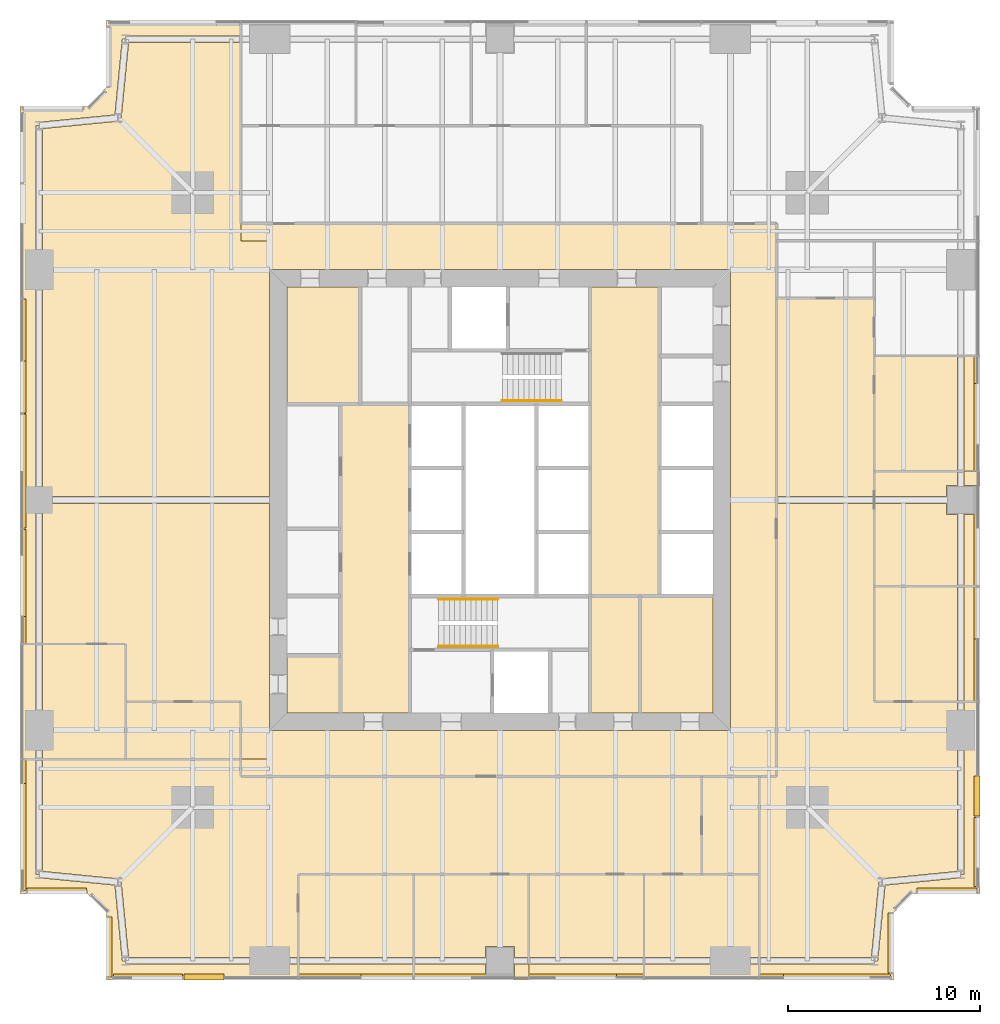
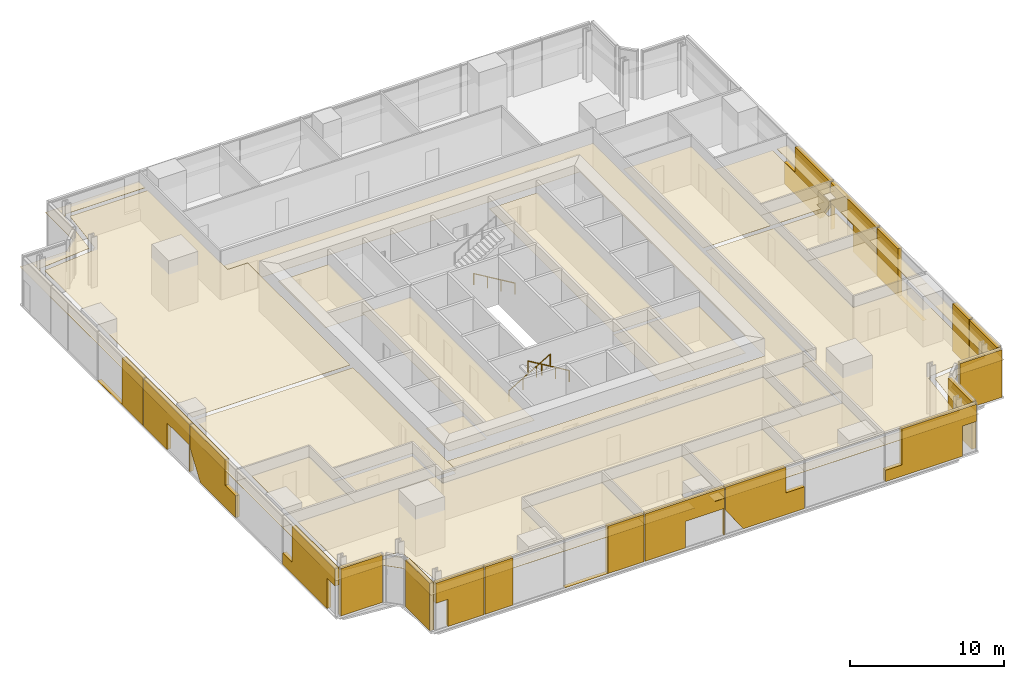
# One storey, part 12 of 13: 55 coverings, 3 railings.
"""IFC4 building model written with IfcOpenShell, lengths in metres."""

from ifc_helpers import new_model, si_unit, direction, frame, origin, origin_2d, place, context, subcontext, project, spatial, polyline, circle, outline, extrude, material, layer, layer_set, type_object, element, save


model = new_model("IFC4")

# Units and contexts
model_context = context("Model", 3, precision=1e-05, world=origin(), true_north=direction((0.0, 1.0)))
body_context = subcontext(model_context, "Body", "Model", "MODEL_VIEW")
ifc_project = project(units=[si_unit("LENGTHUNIT", "METRE"), si_unit("AREAUNIT", "SQUARE_METRE"), si_unit("VOLUMEUNIT", "CUBIC_METRE"), si_unit("PLANEANGLEUNIT", "RADIAN"), si_unit("MASSUNIT", "GRAM", prefix="KILO")], contexts=[model_context])

# Site, building, storey
site_placement = place(None, origin())
site = spatial("IfcSite", under=ifc_project, at=site_placement, CompositionType="ELEMENT")
building_placement = place(site_placement, origin())
building = spatial("IfcBuilding", under=site, at=building_placement, Name="Fenwick Lantern Interchange", CompositionType="ELEMENT")
storey_placement = place(building_placement, frame((0.0, 0.0, 106.39990234375)))
storey = spatial("IfcBuildingStorey", under=building, at=storey_placement, Name="L24", CompositionType="ELEMENT", Elevation=106.39990234375)

# Coverings
ifc_material_1 = material(Name="Mineral fibre acoustic tile on suspended grid")
ifc_layer_1 = layer(ifc_material_1, 0.02001953125)
ifc_layer_set_1 = layer_set([ifc_layer_1], Name="ACOUSTIC TILE CEILING 20")
covering_type_1 = type_object("IfcCoveringType", Name="ACOUSTIC TILE CEILING 20", PredefinedType="CEILING", material=ifc_layer_set_1)
covering_1_placement = place(storey_placement, frame((0.0, 0.0, 2.900146484375)))
element("IfcCovering", 1, at=covering_1_placement, inside=storey, type_object=covering_type_1, Name="Office suite ceiling", PredefinedType="CEILING", context=body_context, shape_type="SweptSolid", body=[
    extrude(outline(polyline([(11.5, 11.5), (1.17236328125, 11.5), (1.17236328125, 5.656494140625), (5.11669921875, 5.271484375), (5.10009765625, 5.10009765625), (5.271484375, 5.11669921875), (5.656494140625, 1.17236328125), (13.0, 1.17236328125), (14.5, 1.17236328125), (14.5, 5.5), (35.5, 5.5), (35.5, 10.60009765625), (11.5, 10.60009765625), (11.5, 11.5)])), origin(), (0.0, 0.0, 1.0), 0.02001953125),
])
covering_2_placement = place(storey_placement, frame((0.0, 0.0, 2.900146484375)))
element("IfcCovering", 2, at=covering_2_placement, inside=storey, type_object=covering_type_1, Name="Office suite ceiling", PredefinedType="CEILING", context=body_context, shape_type="SweptSolid", body=[
    extrude(outline(polyline([(0.82763671875, 11.5), (0.0, 11.5), (0.0, 4.5), (3.5, 4.5), (4.5, 3.5), (4.5, 0.0), (14.5, 0.0), (14.5, 0.82763671875), (13.0, 0.82763671875), (5.5, 0.82763671875), (5.5, 1.0), (5.328369140625, 0.983154296875), (4.942138671875, 4.942138671875), (0.983154296875, 5.328369140625), (1.0, 5.5), (0.82763671875, 5.5), (0.82763671875, 11.5)])), origin(), (0.0, 0.0, 1.0), 0.02001953125),
])
covering_3_placement = place(storey_placement, frame((0.0, 0.0, 2.900146484375)))
element("IfcCovering", 3, at=covering_3_placement, inside=storey, type_object=covering_type_1, Name="Office ceiling", PredefinedType="CEILING", context=body_context, shape_type="SweptSolid", body=[
    extrude(outline(polyline([(14.5, 5.5), (14.5, 1.17236328125), (20.5, 1.17236328125), (20.5, 5.5), (14.5, 5.5)])), origin(), (0.0, 0.0, 1.0), 0.02001953125),
])
covering_4_placement = place(storey_placement, frame((0.0, 0.0, 2.900146484375)))
element("IfcCovering", 4, at=covering_4_placement, inside=storey, type_object=covering_type_1, Name="Office ceiling", PredefinedType="CEILING", context=body_context, shape_type="SweptSolid", body=[
    extrude(outline(polyline([(20.5, 0.0), (20.5, 0.82763671875), (14.5, 0.82763671875), (14.5, 0.0), (20.5, 0.0)])), origin(), (0.0, 0.0, 1.0), 0.02001953125),
])
covering_5_placement = place(storey_placement, frame((0.0, 0.0, 2.900146484375)))
element("IfcCovering", 5, at=covering_5_placement, inside=storey, type_object=covering_type_1, Name="Office ceiling", PredefinedType="CEILING", context=body_context, shape_type="SweptSolid", body=[
    extrude(outline(polyline([(20.5, 5.5), (20.5, 1.17236328125), (24.25, 1.17236328125), (24.25, 1.75), (25.75, 1.75), (25.75, 1.17236328125), (26.5, 1.17236328125), (26.5, 5.5), (20.5, 5.5)])), origin(), (0.0, 0.0, 1.0), 0.02001953125),
])
covering_6_placement = place(storey_placement, frame((0.0, 0.0, 2.900146484375)))
element("IfcCovering", 6, at=covering_6_placement, inside=storey, type_object=covering_type_1, Name="Office ceiling", PredefinedType="CEILING", context=body_context, shape_type="SweptSolid", body=[
    extrude(outline(polyline([(20.5, 0.82763671875), (20.5, 0.0), (24.25, 0.0), (24.25, 0.82763671875), (20.5, 0.82763671875)])), origin(), (0.0, 0.0, 1.0), 0.02001953125),
])
covering_7_placement = place(storey_placement, frame((0.0, 0.0, 2.900146484375)))
element("IfcCovering", 7, at=covering_7_placement, inside=storey, type_object=covering_type_1, Name="Office ceiling", PredefinedType="CEILING", context=body_context, shape_type="SweptSolid", body=[
    extrude(outline(polyline([(26.5, 0.0), (26.5, 0.82763671875), (25.75, 0.82763671875), (25.75, 0.0), (26.5, 0.0)])), origin(), (0.0, 0.0, 1.0), 0.02001953125),
])
covering_8_placement = place(storey_placement, frame((0.0, 0.0, 2.900146484375)))
element("IfcCovering", 8, at=covering_8_placement, inside=storey, type_object=covering_type_1, Name="Office ceiling", PredefinedType="CEILING", context=body_context, shape_type="SweptSolid", body=[
    extrude(outline(polyline([(26.5, 5.5), (26.5, 1.17236328125), (32.5, 1.17236328125), (32.5, 5.5), (26.5, 5.5)])), origin(), (0.0, 0.0, 1.0), 0.02001953125),
])
covering_9_placement = place(storey_placement, frame((0.0, 0.0, 2.900146484375)))
element("IfcCovering", 9, at=covering_9_placement, inside=storey, type_object=covering_type_1, Name="Office ceiling", PredefinedType="CEILING", context=body_context, shape_type="SweptSolid", body=[
    extrude(outline(polyline([(32.5, 0.0), (32.5, 0.82763671875), (26.5, 0.82763671875), (26.5, 0.0), (32.5, 0.0)])), origin(), (0.0, 0.0, 1.0), 0.02001953125),
])
covering_10_placement = place(storey_placement, frame((0.0, 0.0, 2.900146484375)))
element("IfcCovering", 10, at=covering_10_placement, inside=storey, type_object=covering_type_1, Name="Meeting room ceiling", PredefinedType="CEILING", context=body_context, shape_type="SweptSolid", body=[
    extrude(outline(polyline([(32.5, 5.5), (32.5, 1.17236328125), (37.0, 1.17236328125), (38.5, 1.17236328125), (38.5, 5.5), (32.5, 5.5)])), origin(), (0.0, 0.0, 1.0), 0.02001953125),
])
covering_11_placement = place(storey_placement, frame((0.0, 0.0, 2.900146484375)))
element("IfcCovering", 11, at=covering_11_placement, inside=storey, type_object=covering_type_1, Name="Meeting room ceiling", PredefinedType="CEILING", context=body_context, shape_type="SweptSolid", body=[
    extrude(outline(polyline([(38.5, 0.0), (38.5, 0.82763671875), (37.0, 0.82763671875), (32.5, 0.82763671875), (32.5, 0.0), (38.5, 0.0)])), origin(), (0.0, 0.0, 1.0), 0.02001953125),
])
covering_12_placement = place(storey_placement, frame((0.0, 0.0, 2.900146484375)))
element("IfcCovering", 12, at=covering_12_placement, inside=storey, type_object=covering_type_1, Name="Office suite ceiling", PredefinedType="CEILING", context=body_context, shape_type="SweptSolid", body=[
    extrude(outline(polyline([(38.5, 10.60009765625), (38.5, 1.17236328125), (44.343505859375, 1.17236328125), (44.728515625, 5.11669921875), (44.89990234375, 5.10009765625), (44.88330078125, 5.271484375), (48.82763671875, 5.656494140625), (48.82763671875, 13.0), (48.82763671875, 14.5), (44.5, 14.5), (44.5, 24.824951171875), (39.39990234375, 24.824951171875), (39.39990234375, 10.60009765625), (38.5, 10.60009765625)])), origin(), (0.0, 0.0, 1.0), 0.02001953125),
])
covering_13_placement = place(storey_placement, frame((0.0, 0.0, 2.900146484375)))
element("IfcCovering", 13, at=covering_13_placement, inside=storey, type_object=covering_type_1, Name="Office suite ceiling", PredefinedType="CEILING", context=body_context, shape_type="SweptSolid", body=[
    extrude(outline(polyline([(39.39990234375, 35.5), (39.39990234375, 25.175048828125), (44.5, 25.175048828125), (44.5, 35.5), (39.39990234375, 35.5)])), origin(), (0.0, 0.0, 1.0), 0.02001953125),
])
covering_14_placement = place(storey_placement, frame((0.0, 0.0, 2.900146484375)))
element("IfcCovering", 14, at=covering_14_placement, inside=storey, type_object=covering_type_1, Name="Office suite ceiling", PredefinedType="CEILING", context=body_context, shape_type="SweptSolid", body=[
    extrude(outline(polyline([(38.5, 0.82763671875), (38.5, 0.0), (45.5, 0.0), (45.5, 3.5), (46.5, 4.5), (50.0, 4.5), (50.0, 14.5), (49.17236328125, 14.5), (49.17236328125, 13.0), (49.17236328125, 5.5), (49.0, 5.5), (49.016845703125, 5.328369140625), (45.057861328125, 4.942138671875), (44.671630859375, 0.983154296875), (44.5, 1.0), (44.5, 0.82763671875), (38.5, 0.82763671875)])), origin(), (0.0, 0.0, 1.0), 0.02001953125),
])
covering_15_placement = place(storey_placement, frame((0.0, 0.0, 2.900146484375)))
element("IfcCovering", 15, at=covering_15_placement, inside=storey, type_object=covering_type_1, Name="Office ceiling", PredefinedType="CEILING", context=body_context, shape_type="SweptSolid", body=[
    extrude(outline(polyline([(44.5, 14.5), (48.82763671875, 14.5), (48.82763671875, 20.5), (44.5, 20.5), (44.5, 14.5)])), origin(), (0.0, 0.0, 1.0), 0.02001953125),
])
covering_16_placement = place(storey_placement, frame((0.0, 0.0, 2.900146484375)))
element("IfcCovering", 16, at=covering_16_placement, inside=storey, type_object=covering_type_1, Name="Office ceiling", PredefinedType="CEILING", context=body_context, shape_type="SweptSolid", body=[
    extrude(outline(polyline([(50.0, 20.5), (49.17236328125, 20.5), (49.17236328125, 14.5), (50.0, 14.5), (50.0, 20.5)])), origin(), (0.0, 0.0, 1.0), 0.02001953125),
])
covering_17_placement = place(storey_placement, frame((0.0, 0.0, 2.900146484375)))
element("IfcCovering", 17, at=covering_17_placement, inside=storey, type_object=covering_type_1, Name="Office ceiling", PredefinedType="CEILING", context=body_context, shape_type="SweptSolid", body=[
    extrude(outline(polyline([(44.5, 20.5), (48.82763671875, 20.5), (48.82763671875, 24.25), (48.25, 24.25), (48.25, 24.824951171875), (44.5, 24.824951171875), (44.5, 20.5)])), origin(), (0.0, 0.0, 1.0), 0.02001953125),
])
covering_18_placement = place(storey_placement, frame((0.0, 0.0, 2.900146484375)))
element("IfcCovering", 18, at=covering_18_placement, inside=storey, type_object=covering_type_1, Name="Office ceiling", PredefinedType="CEILING", context=body_context, shape_type="SweptSolid", body=[
    extrude(outline(polyline([(44.5, 26.5), (44.5, 25.175048828125), (48.25, 25.175048828125), (48.25, 25.75), (48.82763671875, 25.75), (48.82763671875, 26.5), (44.5, 26.5)])), origin(), (0.0, 0.0, 1.0), 0.02001953125),
])
covering_19_placement = place(storey_placement, frame((0.0, 0.0, 2.900146484375)))
element("IfcCovering", 19, at=covering_19_placement, inside=storey, type_object=covering_type_1, Name="Office ceiling", PredefinedType="CEILING", context=body_context, shape_type="SweptSolid", body=[
    extrude(outline(polyline([(49.17236328125, 20.5), (50.0, 20.5), (50.0, 24.25), (49.17236328125, 24.25), (49.17236328125, 20.5)])), origin(), (0.0, 0.0, 1.0), 0.02001953125),
])
covering_20_placement = place(storey_placement, frame((0.0, 0.0, 2.900146484375)))
element("IfcCovering", 20, at=covering_20_placement, inside=storey, type_object=covering_type_1, Name="Office ceiling", PredefinedType="CEILING", context=body_context, shape_type="SweptSolid", body=[
    extrude(outline(polyline([(50.0, 26.5), (49.17236328125, 26.5), (49.17236328125, 25.75), (50.0, 25.75), (50.0, 26.5)])), origin(), (0.0, 0.0, 1.0), 0.02001953125),
])
covering_21_placement = place(storey_placement, frame((0.0, 0.0, 2.900146484375)))
element("IfcCovering", 21, at=covering_21_placement, inside=storey, type_object=covering_type_1, Name="Office ceiling", PredefinedType="CEILING", context=body_context, shape_type="SweptSolid", body=[
    extrude(outline(polyline([(44.5, 26.5), (48.82763671875, 26.5), (48.82763671875, 32.5), (44.5, 32.5), (44.5, 26.5)])), origin(), (0.0, 0.0, 1.0), 0.02001953125),
])
covering_22_placement = place(storey_placement, frame((0.0, 0.0, 2.900146484375)))
element("IfcCovering", 22, at=covering_22_placement, inside=storey, type_object=covering_type_1, Name="Office ceiling", PredefinedType="CEILING", context=body_context, shape_type="SweptSolid", body=[
    extrude(outline(polyline([(50.0, 32.5), (49.17236328125, 32.5), (49.17236328125, 26.5), (50.0, 26.5), (50.0, 32.5)])), origin(), (0.0, 0.0, 1.0), 0.02001953125),
])
covering_23_placement = place(storey_placement, frame((0.0, 0.0, 2.900146484375)))
element("IfcCovering", 23, at=covering_23_placement, inside=storey, type_object=covering_type_1, Name="Open office ceiling", PredefinedType="CEILING", context=body_context, shape_type="SweptSolid", body=[
    extrude(outline(polyline([(11.5, 38.5), (11.5, 48.82763671875), (5.656494140625, 48.82763671875), (5.271484375, 44.88330078125), (5.10009765625, 44.89990234375), (5.11669921875, 44.728515625), (1.17236328125, 44.343505859375), (1.17236328125, 37.0), (1.17236328125, 25.175048828125), (13.0, 25.175048828125), (13.0, 38.5), (11.5, 38.5)])), origin(), (0.0, 0.0, 1.0), 0.02001953125),
])
covering_24_placement = place(storey_placement, frame((0.0, 0.0, 2.900146484375)))
element("IfcCovering", 24, at=covering_24_placement, inside=storey, type_object=covering_type_1, Name="Open office ceiling", PredefinedType="CEILING", context=body_context, shape_type="SweptSolid", body=[
    extrude(outline(polyline([(13.0, 11.5), (13.0, 24.824951171875), (1.17236328125, 24.824951171875), (1.17236328125, 17.5), (5.5, 17.5), (5.5, 14.5), (11.5, 14.5), (11.5, 11.5), (13.0, 11.5)])), origin(), (0.0, 0.0, 1.0), 0.02001953125),
])
covering_25_placement = place(storey_placement, frame((0.0, 0.0, 2.900146484375)))
element("IfcCovering", 25, at=covering_25_placement, inside=storey, type_object=covering_type_1, Name="Open office ceiling", PredefinedType="CEILING", context=body_context, shape_type="SweptSolid", body=[
    extrude(outline(polyline([(3.5, 45.5), (0.0, 45.5), (0.0, 17.5), (0.82763671875, 17.5), (0.82763671875, 25.0), (0.82763671875, 37.0), (0.82763671875, 44.5), (1.0, 44.5), (0.983154296875, 44.671630859375), (4.942138671875, 45.057861328125), (5.328369140625, 49.016845703125), (5.5, 49.0), (5.5, 49.17236328125), (11.5, 49.17236328125), (11.5, 50.0), (4.5, 50.0), (4.5, 46.5), (3.5, 45.5)])), origin(), (0.0, 0.0, 1.0), 0.02001953125),
])
covering_26_placement = place(storey_placement, frame((0.0, 0.0, 2.900146484375)))
element("IfcCovering", 26, at=covering_26_placement, inside=storey, type_object=covering_type_1, Name="Meeting room ceiling", PredefinedType="CEILING", context=body_context, shape_type="SweptSolid", body=[
    extrude(outline(polyline([(5.5, 17.5), (1.17236328125, 17.5), (1.17236328125, 13.0), (1.17236328125, 11.5), (5.5, 11.5), (5.5, 17.5)])), origin(), (0.0, 0.0, 1.0), 0.02001953125),
])
covering_27_placement = place(storey_placement, frame((0.0, 0.0, 2.900146484375)))
element("IfcCovering", 27, at=covering_27_placement, inside=storey, type_object=covering_type_1, Name="Meeting room ceiling", PredefinedType="CEILING", context=body_context, shape_type="SweptSolid", body=[
    extrude(outline(polyline([(0.0, 11.5), (0.82763671875, 11.5), (0.82763671875, 13.0), (0.82763671875, 17.5), (0.0, 17.5), (0.0, 11.5)])), origin(), (0.0, 0.0, 1.0), 0.02001953125),
])
ifc_material_2 = material(Name="Granite cladding, warm grey flamed finish, on aluminium carrier frame", Category="masonry")
ifc_layer_2 = layer(ifc_material_2, 0.300048828125)
ifc_layer_set_2 = layer_set([ifc_layer_2], Name="BRACE CASING PANEL 300")
covering_type_2 = type_object("IfcCoveringType", Name="BRACE CASING PANEL 300", PredefinedType="CLADDING", material=ifc_layer_set_2)
covering_28_placement = place(storey_placement, frame((4.60009765625, 0.10009765625, 0.0), z_axis=(0.0, 0.0, 1.0), x_axis=(1.0, 0.0, 0.0)))
element("IfcCovering", 28, at=covering_28_placement, inside=storey, type_object=covering_type_2, Name="Brace casing 01 bay 00a", PredefinedType="CLADDING", context=body_context, shape_type="SweptSolid", body=[
    extrude(outline(polyline([(1.18994140625, 0.0), (3.867431640625, 0.0), (3.867431640625, 3.75), (0.264892578125, 3.75), (0.264892578125, 2.150390625), (1.18994140625, 2.150390625), (1.18994140625, 0.0)])), frame((0.0, 0.2001953125, 0.0), z_axis=(0.0, -1.0, 0.0), x_axis=(1.0, 0.0, 0.0)), (0.0, 0.0, 1.0), 0.300048828125),
])
covering_29_placement = place(storey_placement, frame((4.60009765625, 0.10009765625, 0.0), z_axis=(0.0, 0.0, 1.0), x_axis=(1.0, 0.0, 0.0)))
element("IfcCovering", 29, at=covering_29_placement, inside=storey, type_object=covering_type_2, Name="Brace casing 01 bay 01a", PredefinedType="CLADDING", context=body_context, shape_type="SweptSolid", body=[
    extrude(outline(polyline([(3.9326171875, 0.0), (6.031005859375, 0.0), (6.031005859375, 3.75), (3.9326171875, 3.75), (3.9326171875, 0.0)])), frame((0.0, 0.2001953125, 0.0), z_axis=(0.0, -1.0, 0.0), x_axis=(1.0, 0.0, 0.0)), (0.0, 0.0, 1.0), 0.300048828125),
])
covering_30_placement = place(storey_placement, frame((4.60009765625, 0.10009765625, 0.0), z_axis=(0.0, 0.0, 1.0), x_axis=(1.0, 0.0, 0.0)))
element("IfcCovering", 30, at=covering_30_placement, inside=storey, type_object=covering_type_2, Name="Brace casing 01 bay 02a", PredefinedType="CLADDING", context=body_context, shape_type="SweptSolid", body=[
    extrude(outline(polyline([(9.9326171875, 0.0), (15.867431640625, 0.0), (15.867431640625, 3.75), (13.1474609375, 3.75), (13.1474609375, 0.004638671875), (9.9326171875, 0.004638671875), (9.9326171875, 0.0)])), frame((0.0, 0.2001953125, 0.0), z_axis=(0.0, -1.0, 0.0), x_axis=(1.0, 0.0, 0.0)), (0.0, 0.0, 1.0), 0.300048828125),
])
covering_31_placement = place(storey_placement, frame((4.60009765625, 0.10009765625, 0.0), z_axis=(0.0, 0.0, 1.0), x_axis=(1.0, 0.0, 0.0)))
element("IfcCovering", 31, at=covering_31_placement, inside=storey, type_object=covering_type_2, Name="Brace casing 01 bay 03a", PredefinedType="CLADDING", context=body_context, shape_type="SweptSolid", body=[
    extrude(outline(polyline([(15.9326171875, 0.0), (18.955078125, 0.0), (18.955078125, 2.10595703125), (21.84521484375, 2.10595703125), (21.84521484375, 0.0), (21.867431640625, 0.0), (21.867431640625, 3.75), (15.9326171875, 3.75), (15.9326171875, 0.0)])), frame((0.0, 0.2001953125, 0.0), z_axis=(0.0, -1.0, 0.0), x_axis=(1.0, 0.0, 0.0)), (0.0, 0.0, 1.0), 0.300048828125),
])
covering_32_placement = place(storey_placement, frame((4.60009765625, 0.10009765625, 0.0), z_axis=(0.0, 0.0, 1.0), x_axis=(1.0, 0.0, 0.0)))
element("IfcCovering", 32, at=covering_32_placement, inside=storey, type_object=covering_type_2, Name="Brace casing 01 bay 04a", PredefinedType="CLADDING", context=body_context, shape_type="SweptSolid", body=[
    extrude(outline(polyline([(23.289794921875, 0.0), (27.867431640625, 0.0), (27.867431640625, 1.72412109375), (26.472900390625, 1.72412109375), (26.472900390625, 3.75), (21.9326171875, 3.75), (21.9326171875, 1.978515625), (23.289794921875, 0.0)])), frame((0.0, 0.2001953125, 0.0), z_axis=(0.0, -1.0, 0.0), x_axis=(1.0, 0.0, 0.0)), (0.0, 0.0, 1.0), 0.300048828125),
])
covering_33_placement = place(storey_placement, frame((4.60009765625, 0.10009765625, 0.0), z_axis=(0.0, 0.0, 1.0), x_axis=(1.0, 0.0, 0.0)))
element("IfcCovering", 33, at=covering_33_placement, inside=storey, type_object=covering_type_2, Name="Brace casing 01 bay 06a", PredefinedType="CLADDING", context=body_context, shape_type="SweptSolid", body=[
    extrude(outline(polyline([(33.9326171875, 0.0), (39.712890625, 0.0), (39.712890625, 2.390625), (40.735107421875, 2.390625), (40.735107421875, 3.75), (35.157470703125, 3.75), (35.157470703125, 0.9013671875), (33.9326171875, 0.9013671875), (33.9326171875, 0.0)])), frame((0.0, 0.2001953125, 0.0), z_axis=(0.0, -1.0, 0.0), x_axis=(1.0, 0.0, 0.0)), (0.0, 0.0, 1.0), 0.300048828125),
])
for number, where, z_axis, x_axis, name in (
    (34, (45.39990234375, 0.10009765625, 0.0), (0.0, 0.0, 1.0), (0.0, 1.0, 0.0), "Brace casing 02 bay 00a"),
    (35, (46.45849609375, 4.60009765625, 0.0), (0.0, 0.0, 1.0), (1.0, 0.0, 0.0), "Brace casing 04 bay 00a"),
):
    element("IfcCovering", number, at=place(storey_placement, frame(where, z_axis=z_axis, x_axis=x_axis)), inside=storey, type_object=covering_type_2, Name=name, PredefinedType="CLADDING", context=body_context, shape_type="SweptSolid", body=[
        extrude(outline(polyline([(0.264892578125, 0.0), (3.37646484375, 0.0), (3.37646484375, 3.75), (0.264892578125, 3.75), (0.264892578125, 0.0)])), frame((0.0, 0.2001953125, 0.0), z_axis=(0.0, -1.0, 0.0), x_axis=(1.0, 0.0, 0.0)), (0.0, 0.0, 1.0), 0.300048828125),
    ])
covering_34_placement = place(storey_placement, frame((49.89990234375, 4.60009765625, 0.0), z_axis=(0.0, 0.0, 1.0), x_axis=(0.0, 1.0, 0.0)))
element("IfcCovering", 36, at=covering_34_placement, inside=storey, type_object=covering_type_2, Name="Brace casing 05 bay 00a", PredefinedType="CLADDING", context=body_context, shape_type="SweptSolid", body=[
    extrude(outline(polyline([(1.18994140625, 0.0), (3.867431640625, 0.0), (3.867431640625, 3.75), (0.264892578125, 3.75), (0.264892578125, 2.150390625), (1.18994140625, 2.150390625), (1.18994140625, 0.0)])), frame((0.0, 0.2001953125, 0.0), z_axis=(0.0, -1.0, 0.0), x_axis=(1.0, 0.0, 0.0)), (0.0, 0.0, 1.0), 0.300048828125),
])
covering_35_placement = place(storey_placement, frame((49.89990234375, 4.60009765625, 0.0), z_axis=(0.0, 0.0, 1.0), x_axis=(0.0, 1.0, 0.0)))
element("IfcCovering", 37, at=covering_35_placement, inside=storey, type_object=covering_type_2, Name="Brace casing 05 bay 01a", PredefinedType="CLADDING", context=body_context, shape_type="SweptSolid", body=[
    extrude(outline(polyline([(3.9326171875, 0.0), (6.031005859375, 0.0), (6.031005859375, 3.75), (3.9326171875, 3.75), (3.9326171875, 0.0)])), frame((0.0, 0.2001953125, 0.0), z_axis=(0.0, -1.0, 0.0), x_axis=(1.0, 0.0, 0.0)), (0.0, 0.0, 1.0), 0.300048828125),
])
covering_36_placement = place(storey_placement, frame((49.89990234375, 4.60009765625, 0.0), z_axis=(0.0, 0.0, 1.0), x_axis=(0.0, 1.0, 0.0)))
element("IfcCovering", 38, at=covering_36_placement, inside=storey, type_object=covering_type_2, Name="Brace casing 05 bay 02a", PredefinedType="CLADDING", context=body_context, shape_type="SweptSolid", body=[
    extrude(outline(polyline([(9.9326171875, 0.0), (15.867431640625, 0.0), (15.867431640625, 3.75), (13.1474609375, 3.75), (13.1474609375, 0.004638671875), (9.9326171875, 0.004638671875), (9.9326171875, 0.0)])), frame((0.0, 0.2001953125, 0.0), z_axis=(0.0, -1.0, 0.0), x_axis=(1.0, 0.0, 0.0)), (0.0, 0.0, 1.0), 0.300048828125),
])
covering_37_placement = place(storey_placement, frame((49.89990234375, 4.60009765625, 0.0), z_axis=(0.0, 0.0, 1.0), x_axis=(0.0, 1.0, 0.0)))
element("IfcCovering", 39, at=covering_37_placement, inside=storey, type_object=covering_type_2, Name="Brace casing 05 bay 03a", PredefinedType="CLADDING", context=body_context, shape_type="SweptSolid", body=[
    extrude(outline(polyline([(15.9326171875, 0.0), (18.955078125, 0.0), (18.955078125, 2.10595703125), (21.84521484375, 2.10595703125), (21.84521484375, 0.0), (21.867431640625, 0.0), (21.867431640625, 3.75), (15.9326171875, 3.75), (15.9326171875, 0.0)])), frame((0.0, 0.2001953125, 0.0), z_axis=(0.0, -1.0, 0.0), x_axis=(1.0, 0.0, 0.0)), (0.0, 0.0, 1.0), 0.300048828125),
])
covering_38_placement = place(storey_placement, frame((49.89990234375, 4.60009765625, 0.0), z_axis=(0.0, 0.0, 1.0), x_axis=(0.0, 1.0, 0.0)))
element("IfcCovering", 40, at=covering_38_placement, inside=storey, type_object=covering_type_2, Name="Brace casing 05 bay 04a", PredefinedType="CLADDING", context=body_context, shape_type="SweptSolid", body=[
    extrude(outline(polyline([(23.289794921875, 0.0), (27.867431640625, 0.0), (27.867431640625, 1.72412109375), (26.472900390625, 1.72412109375), (26.472900390625, 3.75), (21.9326171875, 3.75), (21.9326171875, 1.978515625), (23.289794921875, 0.0)])), frame((0.0, 0.2001953125, 0.0), z_axis=(0.0, -1.0, 0.0), x_axis=(1.0, 0.0, 0.0)), (0.0, 0.0, 1.0), 0.300048828125),
])
covering_39_placement = place(storey_placement, frame((0.10009765625, 45.39990234375, 0.0), z_axis=(0.0, 0.0, 1.0), x_axis=(0.0, -1.0, 0.0)))
element("IfcCovering", 41, at=covering_39_placement, inside=storey, type_object=covering_type_2, Name="Brace casing 13 bay 02a", PredefinedType="CLADDING", context=body_context, shape_type="SweptSolid", body=[
    extrude(outline(polyline([(9.9326171875, 0.0), (15.867431640625, 0.0), (15.867431640625, 3.75), (13.1474609375, 3.75), (13.1474609375, 0.004638671875), (9.9326171875, 0.004638671875), (9.9326171875, 0.0)])), frame((0.0, 0.2001953125, 0.0), z_axis=(0.0, -1.0, 0.0), x_axis=(1.0, 0.0, 0.0)), (0.0, 0.0, 1.0), 0.300048828125),
])
covering_40_placement = place(storey_placement, frame((0.10009765625, 45.39990234375, 0.0), z_axis=(0.0, 0.0, 1.0), x_axis=(0.0, -1.0, 0.0)))
element("IfcCovering", 42, at=covering_40_placement, inside=storey, type_object=covering_type_2, Name="Brace casing 13 bay 03a", PredefinedType="CLADDING", context=body_context, shape_type="SweptSolid", body=[
    extrude(outline(polyline([(15.9326171875, 0.0), (18.955078125, 0.0), (18.955078125, 2.10595703125), (21.84521484375, 2.10595703125), (21.84521484375, 0.0), (21.867431640625, 0.0), (21.867431640625, 3.75), (15.9326171875, 3.75), (15.9326171875, 0.0)])), frame((0.0, 0.2001953125, 0.0), z_axis=(0.0, -1.0, 0.0), x_axis=(1.0, 0.0, 0.0)), (0.0, 0.0, 1.0), 0.300048828125),
])
covering_41_placement = place(storey_placement, frame((0.10009765625, 45.39990234375, 0.0), z_axis=(0.0, 0.0, 1.0), x_axis=(0.0, -1.0, 0.0)))
element("IfcCovering", 43, at=covering_41_placement, inside=storey, type_object=covering_type_2, Name="Brace casing 13 bay 04a", PredefinedType="CLADDING", context=body_context, shape_type="SweptSolid", body=[
    extrude(outline(polyline([(23.289794921875, 0.0), (27.867431640625, 0.0), (27.867431640625, 1.72412109375), (26.472900390625, 1.72412109375), (26.472900390625, 3.75), (21.9326171875, 3.75), (21.9326171875, 1.978515625), (23.289794921875, 0.0)])), frame((0.0, 0.2001953125, 0.0), z_axis=(0.0, -1.0, 0.0), x_axis=(1.0, 0.0, 0.0)), (0.0, 0.0, 1.0), 0.300048828125),
])
covering_42_placement = place(storey_placement, frame((0.10009765625, 45.39990234375, 0.0), z_axis=(0.0, 0.0, 1.0), x_axis=(0.0, -1.0, 0.0)))
element("IfcCovering", 44, at=covering_42_placement, inside=storey, type_object=covering_type_2, Name="Brace casing 13 bay 06a", PredefinedType="CLADDING", context=body_context, shape_type="SweptSolid", body=[
    extrude(outline(polyline([(33.9326171875, 0.0), (39.712890625, 0.0), (39.712890625, 2.390625), (40.735107421875, 2.390625), (40.735107421875, 3.75), (35.157470703125, 3.75), (35.157470703125, 0.9013671875), (33.9326171875, 0.9013671875), (33.9326171875, 0.0)])), frame((0.0, 0.2001953125, 0.0), z_axis=(0.0, -1.0, 0.0), x_axis=(1.0, 0.0, 0.0)), (0.0, 0.0, 1.0), 0.300048828125),
])
for number, where, z_axis, x_axis, name in (
    (45, (0.10009765625, 4.60009765625, 0.0), (0.0, 0.0, 1.0), (1.0, 0.0, 0.0), "Brace casing 14 bay 00a"),
    (46, (4.60009765625, 3.54150390625, 0.0), (0.0, 0.0, 1.0), (0.0, -1.0, 0.0), "Brace casing 16 bay 00a"),
):
    element("IfcCovering", number, at=place(storey_placement, frame(where, z_axis=z_axis, x_axis=x_axis)), inside=storey, type_object=covering_type_2, Name=name, PredefinedType="CLADDING", context=body_context, shape_type="SweptSolid", body=[
        extrude(outline(polyline([(0.264892578125, 0.0), (3.37646484375, 0.0), (3.37646484375, 3.75), (0.264892578125, 3.75), (0.264892578125, 0.0)])), frame((0.0, 0.2001953125, 0.0), z_axis=(0.0, -1.0, 0.0), x_axis=(1.0, 0.0, 0.0)), (0.0, 0.0, 1.0), 0.300048828125),
    ])

# Railings
ifc_material_3 = material(Name="Stainless steel handrail", Category="steel")
railing_type = type_object("IfcRailingType", Name="HANDRAIL 900", PredefinedType="HANDRAIL", material=ifc_material_3)
railing_placement = place(storey_placement, frame((21.800048828125, 19.825927734375, 0.166748046875)))
element("IfcRailing", 47, at=railing_placement, inside=storey, type_object=railing_type, Name="L24/STAIR/ST1/HR1", PredefinedType="HANDRAIL", context=body_context, shape_type="SweptSolid", body=[
    extrude(circle(Radius=0.02392578125, at=origin_2d()), frame((0.0, 0.0, 0.8759765625), z_axis=(0.859290745958, 0.0, 0.51148745235), x_axis=(0.0, 1.0, 0.0)), (0.0, 0.0, 1.0), 3.584228515625),
    extrude(circle(Radius=0.02099609375, at=origin_2d()), origin(), (0.0, 0.0, 1.0), 0.851806640625),
    extrude(circle(Radius=0.02099609375, at=origin_2d()), frame((1.026611328125, 0.0, 0.611083984375)), (0.0, 0.0, 1.0), 0.851806640625),
    extrude(circle(Radius=0.02099609375, at=origin_2d()), frame((2.05322265625, 0.0, 1.22216796875)), (0.0, 0.0, 1.0), 0.851806640625),
    extrude(circle(Radius=0.02099609375, at=origin_2d()), frame((3.079833984375, 0.0, 1.833251953125)), (0.0, 0.0, 1.0), 0.851806640625),
])
for number, where, name in (
    (48, (24.8798828125, 17.3740234375, 2.166748046875), "L24/STAIR/ST1/HR2"),
    (49, (28.199951171875, 30.174072265625, 0.166748046875), "L24/STAIR/ST2/HR1"),
):
    element("IfcRailing", number, at=place(storey_placement, frame(where)), inside=storey, type_object=railing_type, Name=name, PredefinedType="HANDRAIL", context=body_context, shape_type="SweptSolid", body=[
        extrude(circle(Radius=0.02392578125, at=origin_2d()), frame((0.0, 0.0, 0.8759765625), z_axis=(-0.859290745958, 0.0, 0.51148745235), x_axis=(0.0, -1.0, 0.0)), (0.0, 0.0, 1.0), 3.584228515625),
        extrude(circle(Radius=0.02099609375, at=origin_2d()), origin(), (0.0, 0.0, 1.0), 0.851806640625),
        extrude(circle(Radius=0.02099609375, at=origin_2d()), frame((-1.026611328125, 0.0, 0.611083984375)), (0.0, 0.0, 1.0), 0.851806640625),
        extrude(circle(Radius=0.02099609375, at=origin_2d()), frame((-2.05322265625, 0.0, 1.22216796875)), (0.0, 0.0, 1.0), 0.851806640625),
        extrude(circle(Radius=0.02099609375, at=origin_2d()), frame((-3.079833984375, 0.0, 1.833251953125)), (0.0, 0.0, 1.0), 0.851806640625),
    ])

# Coverings
ifc_material_4 = material(Name="Moisture resistant gypsum board on suspended frame, painted")
ifc_layer_3 = layer(ifc_material_4, 0.014892578125)
ifc_layer_set_3 = layer_set([ifc_layer_3], Name="MOISTURE RESISTANT CEILING 15")
covering_type_3 = type_object("IfcCoveringType", Name="MOISTURE RESISTANT CEILING 15", PredefinedType="CEILING", material=ifc_layer_set_3)
covering_43_placement = place(storey_placement, frame((0.0, 0.0, 2.60009765625)))
element("IfcCovering", 50, at=covering_43_placement, inside=storey, type_object=covering_type_3, Name="Men's WC ceiling", PredefinedType="CEILING", context=body_context, shape_type="SweptSolid", body=[
    extrude(outline(polyline([(29.699951171875, 13.89990234375), (32.300048828125, 13.89990234375), (32.300048828125, 20.0), (29.699951171875, 20.0), (29.699951171875, 13.89990234375)])), origin(), (0.0, 0.0, 1.0), 0.014892578125),
])
covering_44_placement = place(storey_placement, frame((0.0, 0.0, 2.60009765625)))
element("IfcCovering", 51, at=covering_44_placement, inside=storey, type_object=covering_type_3, Name="Women's WC ceiling", PredefinedType="CEILING", context=body_context, shape_type="SweptSolid", body=[
    extrude(outline(polyline([(32.300048828125, 13.89990234375), (36.10009765625, 13.89990234375), (36.10009765625, 20.0), (32.300048828125, 20.0), (32.300048828125, 13.89990234375)])), origin(), (0.0, 0.0, 1.0), 0.014892578125),
])
covering_45_placement = place(storey_placement, frame((0.0, 0.0, 2.60009765625)))
element("IfcCovering", 52, at=covering_45_placement, inside=storey, type_object=covering_type_3, Name="Accessible WC ceiling", PredefinedType="CEILING", context=body_context, shape_type="SweptSolid", body=[
    extrude(outline(polyline([(13.89990234375, 13.89990234375), (16.699951171875, 13.89990234375), (16.699951171875, 16.89990234375), (13.89990234375, 16.89990234375), (13.89990234375, 13.89990234375)])), origin(), (0.0, 0.0, 1.0), 0.014892578125),
])
covering_46_placement = place(storey_placement, frame((0.0, 0.0, 2.60009765625)))
element("IfcCovering", 53, at=covering_46_placement, inside=storey, type_object=covering_type_3, Name="Women's WC ceiling", PredefinedType="CEILING", context=body_context, shape_type="SweptSolid", body=[
    extrude(outline(polyline([(17.699951171875, 36.10009765625), (13.89990234375, 36.10009765625), (13.89990234375, 30.0), (17.699951171875, 30.0), (17.699951171875, 36.10009765625)])), origin(), (0.0, 0.0, 1.0), 0.014892578125),
])
covering_47_placement = place(storey_placement, frame((0.0, 0.0, 2.7001953125)))
element("IfcCovering", 54, at=covering_47_placement, inside=storey, type_object=covering_type_3, Name="Pantry ceiling", PredefinedType="CEILING", context=body_context, shape_type="SweptSolid", body=[
    extrude(outline(polyline([(35.5, 5.5), (38.5, 5.5), (38.5, 10.60009765625), (35.5, 10.60009765625), (35.5, 5.5)])), origin(), (0.0, 0.0, 1.0), 0.014892578125),
])
covering_48_placement = place(storey_placement, frame((0.0, 0.0, 2.7001953125)))
element("IfcCovering", 55, at=covering_48_placement, inside=storey, type_object=covering_type_3, Name="Pantry ceiling", PredefinedType="CEILING", context=body_context, shape_type="SweptSolid", body=[
    extrude(outline(polyline([(5.5, 14.5), (5.5, 11.5), (11.5, 11.5), (11.5, 14.5), (5.5, 14.5)])), origin(), (0.0, 0.0, 1.0), 0.014892578125),
])
ifc_material_5 = material(Name="Gypsum plasterboard on suspended frame, painted")
ifc_layer_4 = layer(ifc_material_5, 0.014892578125)
ifc_layer_set_4 = layer_set([ifc_layer_4], Name="PLASTERBOARD CEILING 15")
covering_type_4 = type_object("IfcCoveringType", Name="PLASTERBOARD CEILING 15", PredefinedType="CEILING", material=ifc_layer_set_4)
covering_49_placement = place(storey_placement, frame((0.0, 0.0, 2.800048828125)))
element("IfcCovering", 56, at=covering_49_placement, inside=storey, type_object=covering_type_4, Name="Lift lobby ceiling", PredefinedType="CEILING", context=body_context, shape_type="SweptSolid", body=[
    extrude(outline(polyline([(16.699951171875, 13.89990234375), (20.300048828125, 13.89990234375), (20.300048828125, 30.0), (16.699951171875, 30.0), (16.699951171875, 13.89990234375)])), origin(), (0.0, 0.0, 1.0), 0.01513671875),
])
covering_50_placement = place(storey_placement, frame((0.0, 0.0, 2.800048828125)))
element("IfcCovering", 57, at=covering_50_placement, inside=storey, type_object=covering_type_4, Name="Lift lobby ceiling", PredefinedType="CEILING", context=body_context, shape_type="SweptSolid", body=[
    extrude(outline(polyline([(33.300048828125, 36.10009765625), (29.699951171875, 36.10009765625), (29.699951171875, 20.0), (33.300048828125, 20.0), (33.300048828125, 36.10009765625)])), origin(), (0.0, 0.0, 1.0), 0.01513671875),
])
covering_51_placement = place(storey_placement, frame((0.0, 0.0, 2.60009765625)))
element("IfcCovering", 58, at=covering_51_placement, inside=storey, type_object=covering_type_4, Name="Corridor ceiling", PredefinedType="CEILING", context=body_context, shape_type="SweptSolid", body=[
    extrude(outline(polyline([(11.5, 11.5), (11.5, 10.60009765625), (39.39990234375, 10.60009765625), (39.39990234375, 39.39990234375), (11.5, 39.39990234375), (11.5, 38.5), (13.0, 38.5), (13.0, 37.0), (37.0, 37.0), (37.0, 13.0), (13.0, 13.0), (13.0, 11.5), (11.5, 11.5)])), origin(), (0.0, 0.0, 1.0), 0.014892578125),
])

save(model, "model.ifc")
